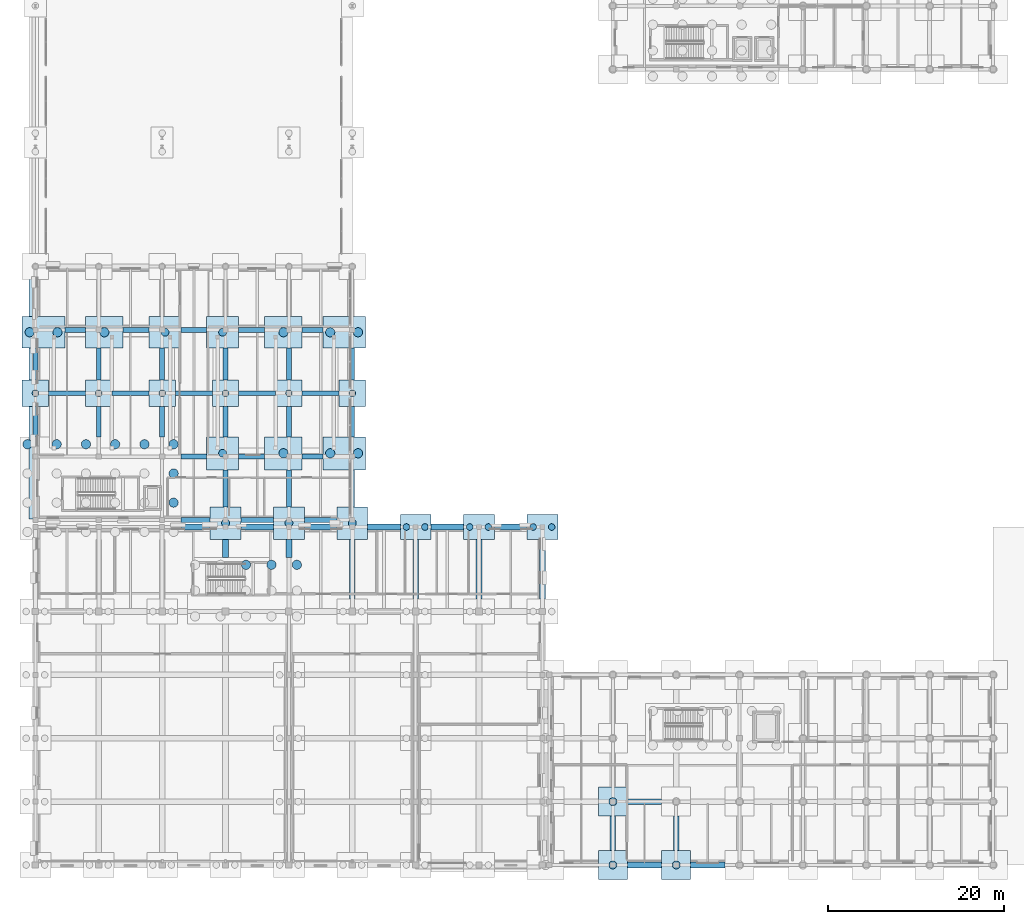
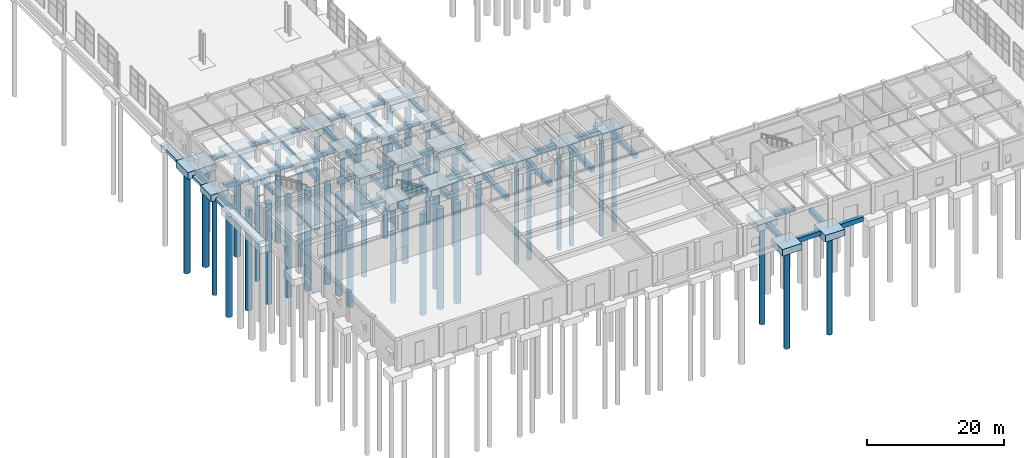
# One storey, part 2 of 91: 73 footings, 41 piles.
"""IFC4 building model written with IfcOpenShell, lengths in metres."""

from ifc_helpers import new_model, si_unit, direction, frame, origin, origin_2d, place, context, subcontext, project, spatial, rectangle, circle, extrude, material, material_profile, profile_set, type_object, element, save


model = new_model("IFC4")

# Units and contexts
model_context = context("Model", 3, precision=1e-05, world=origin(), true_north=direction((0.0, 1.0)))
body_context = subcontext(model_context, "Body", "Model", "MODEL_VIEW")
ifc_project = project(units=[si_unit("LENGTHUNIT", "METRE"), si_unit("AREAUNIT", "SQUARE_METRE"), si_unit("VOLUMEUNIT", "CUBIC_METRE"), si_unit("PLANEANGLEUNIT", "RADIAN"), si_unit("MASSUNIT", "GRAM", prefix="KILO")], contexts=[model_context])

# Site, building, storey
site_placement = place(None, origin())
site = spatial("IfcSite", under=ifc_project, at=site_placement, CompositionType="ELEMENT")
building_placement = place(site_placement, origin())
building = spatial("IfcBuilding", under=site, at=building_placement, Name="Bramveld Media Centre", CompositionType="ELEMENT")
storey_placement = place(building_placement, origin())
storey = spatial("IfcBuildingStorey", under=building, at=storey_placement, Name="L00", CompositionType="ELEMENT", Elevation=0.0)

# Footings
ifc_material_1 = material(Name="Concrete C35/45", Category="concrete")
footing_type_1 = type_object("IfcFootingType", Name="FTG-STRIP-1100x500", PredefinedType="STRIP_FOOTING", material=ifc_material_1)
footing_1_placement = place(storey_placement, frame((-0.179931640625, 53.699951171875, -1.300048828125), z_axis=(0.0, 0.0, 1.0), x_axis=(0.0, 1.0, 0.0)))
element("IfcFooting", 1, at=footing_1_placement, inside=storey, type_object=footing_type_1, Name="Retaining wall strip footing RW-PARK-01", PredefinedType="STRIP_FOOTING", context=body_context, shape_type="SweptSolid", body=[
    extrude(rectangle(XDim=28.800048828125, YDim=1.10009765625, at=origin_2d()), origin(), (0.0, 0.0, 1.0), 0.5),
])
ifc_material_2 = material(Name="Concrete C35/45", Category="concrete")
footing_type_2 = type_object("IfcFootingType", Name="GB-550x800", PredefinedType="FOOTING_BEAM", material=ifc_material_2)
footing_2_placement = place(storey_placement, frame((18.199951171875, 39.199951171875, -0.7998046875), z_axis=(0.0, 0.0, 1.0), x_axis=(1.0, 0.0, 0.0)))
element("IfcFooting", 2, at=footing_2_placement, inside=storey, type_object=footing_type_2, Name="V3 ground beam X-118", PredefinedType="FOOTING_BEAM", context=body_context, shape_type="SweptSolid", body=[
    extrude(rectangle(XDim=3.300048828125, YDim=0.550048828125, at=origin_2d()), origin(), (0.0, 0.0, 1.0), 0.800048828125),
])
for number, where, z_axis, x_axis, name in (
    (3, (25.199951171875, 39.199951171875, -0.7998046875), (0.0, 0.0, 1.0), (1.0, 0.0, 0.0), "V3 ground beam X-119"),
    (4, (32.39990234375, 39.199951171875, -0.7998046875), (0.0, 0.0, 1.0), (1.0, 0.0, 0.0), "V3 ground beam X-120"),
):
    element("IfcFooting", number, at=place(storey_placement, frame(where, z_axis=z_axis, x_axis=x_axis)), inside=storey, type_object=footing_type_2, Name=name, PredefinedType="FOOTING_BEAM", context=body_context, shape_type="SweptSolid", body=[
        extrude(rectangle(XDim=3.699951171875, YDim=0.550048828125, at=origin_2d()), origin(), (0.0, 0.0, 1.0), 0.800048828125),
    ])
footing_3_placement = place(storey_placement, frame((18.0, 46.39990234375, -0.7998046875), z_axis=(0.0, 0.0, 1.0), x_axis=(1.0, 0.0, 0.0)))
element("IfcFooting", 5, at=footing_3_placement, inside=storey, type_object=footing_type_2, Name="V3 ground beam X-121", PredefinedType="FOOTING_BEAM", context=body_context, shape_type="SweptSolid", body=[
    extrude(rectangle(XDim=2.89990234375, YDim=0.550048828125, at=origin_2d()), origin(), (0.0, 0.0, 1.0), 0.800048828125),
])
footing_4_placement = place(storey_placement, frame((24.574951171875, 46.39990234375, -0.7998046875), z_axis=(0.0, 0.0, 1.0), x_axis=(1.0, 0.0, 0.0)))
element("IfcFooting", 6, at=footing_4_placement, inside=storey, type_object=footing_type_2, Name="V3 ground beam X-122", PredefinedType="FOOTING_BEAM", context=body_context, shape_type="SweptSolid", body=[
    extrude(rectangle(XDim=2.949951171875, YDim=0.550048828125, at=origin_2d()), origin(), (0.0, 0.0, 1.0), 0.800048828125),
])
footing_5_placement = place(storey_placement, frame((31.47509765625, 46.39990234375, -0.7998046875), z_axis=(0.0, 0.0, 1.0), x_axis=(1.0, 0.0, 0.0)))
element("IfcFooting", 7, at=footing_5_placement, inside=storey, type_object=footing_type_2, Name="V3 ground beam X-123", PredefinedType="FOOTING_BEAM", context=body_context, shape_type="SweptSolid", body=[
    extrude(rectangle(XDim=2.35009765625, YDim=0.550048828125, at=origin_2d()), origin(), (0.0, 0.0, 1.0), 0.800048828125),
])
for number, where, z_axis, x_axis, name in (
    (8, (3.60009765625, 53.60009765625, -0.7998046875), (0.0, 0.0, 1.0), (1.0, 0.0, 0.0), "V3 ground beam X-124"),
    (9, (10.800048828125, 53.60009765625, -0.7998046875), (0.0, 0.0, 1.0), (1.0, 0.0, 0.0), "V3 ground beam X-125"),
    (10, (18.0, 53.60009765625, -0.7998046875), (0.0, 0.0, 1.0), (1.0, 0.0, 0.0), "V3 ground beam X-126"),
    (11, (25.199951171875, 53.60009765625, -0.7998046875), (0.0, 0.0, 1.0), (1.0, 0.0, 0.0), "V3 ground beam X-127"),
    (12, (32.39990234375, 53.60009765625, -0.7998046875), (0.0, 0.0, 1.0), (1.0, 0.0, 0.0), "V3 ground beam X-128"),
):
    element("IfcFooting", number, at=place(storey_placement, frame(where, z_axis=z_axis, x_axis=x_axis)), inside=storey, type_object=footing_type_2, Name=name, PredefinedType="FOOTING_BEAM", context=body_context, shape_type="SweptSolid", body=[
        extrude(rectangle(XDim=4.199951171875, YDim=0.550048828125, at=origin_2d()), origin(), (0.0, 0.0, 1.0), 0.800048828125),
    ])
footing_6_placement = place(storey_placement, frame((4.52490234375, 60.800048828125, -0.7998046875), z_axis=(0.0, 0.0, 1.0), x_axis=(1.0, 0.0, 0.0)))
element("IfcFooting", 13, at=footing_6_placement, inside=storey, type_object=footing_type_2, Name="V3 ground beam X-129", PredefinedType="FOOTING_BEAM", context=body_context, shape_type="SweptSolid", body=[
    extrude(rectangle(XDim=2.35009765625, YDim=0.550048828125, at=origin_2d()), origin(), (0.0, 0.0, 1.0), 0.800048828125),
])
footing_7_placement = place(storey_placement, frame((11.425048828125, 60.800048828125, -0.7998046875), z_axis=(0.0, 0.0, 1.0), x_axis=(1.0, 0.0, 0.0)))
element("IfcFooting", 14, at=footing_7_placement, inside=storey, type_object=footing_type_2, Name="V3 ground beam X-130", PredefinedType="FOOTING_BEAM", context=body_context, shape_type="SweptSolid", body=[
    extrude(rectangle(XDim=2.949951171875, YDim=0.550048828125, at=origin_2d()), origin(), (0.0, 0.0, 1.0), 0.800048828125),
])
footing_8_placement = place(storey_placement, frame((18.0, 60.800048828125, -0.7998046875), z_axis=(0.0, 0.0, 1.0), x_axis=(1.0, 0.0, 0.0)))
element("IfcFooting", 15, at=footing_8_placement, inside=storey, type_object=footing_type_2, Name="V3 ground beam X-131", PredefinedType="FOOTING_BEAM", context=body_context, shape_type="SweptSolid", body=[
    extrude(rectangle(XDim=2.89990234375, YDim=0.550048828125, at=origin_2d()), origin(), (0.0, 0.0, 1.0), 0.800048828125),
])
footing_9_placement = place(storey_placement, frame((24.574951171875, 60.800048828125, -0.7998046875), z_axis=(0.0, 0.0, 1.0), x_axis=(1.0, 0.0, 0.0)))
element("IfcFooting", 16, at=footing_9_placement, inside=storey, type_object=footing_type_2, Name="V3 ground beam X-132", PredefinedType="FOOTING_BEAM", context=body_context, shape_type="SweptSolid", body=[
    extrude(rectangle(XDim=2.949951171875, YDim=0.550048828125, at=origin_2d()), origin(), (0.0, 0.0, 1.0), 0.800048828125),
])
footing_10_placement = place(storey_placement, frame((31.47509765625, 60.800048828125, -0.7998046875), z_axis=(0.0, 0.0, 1.0), x_axis=(1.0, 0.0, 0.0)))
element("IfcFooting", 17, at=footing_10_placement, inside=storey, type_object=footing_type_2, Name="V3 ground beam X-133", PredefinedType="FOOTING_BEAM", context=body_context, shape_type="SweptSolid", body=[
    extrude(rectangle(XDim=2.35009765625, YDim=0.550048828125, at=origin_2d()), origin(), (0.0, 0.0, 1.0), 0.800048828125),
])
footing_11_placement = place(storey_placement, frame((0.0, 50.375, -0.7998046875), z_axis=(0.0, 0.0, 1.0), x_axis=(1.0, 0.0, 0.0)))
element("IfcFooting", 18, at=footing_11_placement, inside=storey, type_object=footing_type_2, Name="V3 ground beam Y-139", PredefinedType="FOOTING_BEAM", context=body_context, shape_type="SweptSolid", body=[
    extrude(rectangle(XDim=0.550048828125, YDim=3.449951171875, at=origin_2d()), origin(), (0.0, 0.0, 1.0), 0.800048828125),
])
footing_12_placement = place(storey_placement, frame((0.0, 56.925048828125, -0.7998046875), z_axis=(0.0, 0.0, 1.0), x_axis=(1.0, 0.0, 0.0)))
element("IfcFooting", 19, at=footing_12_placement, inside=storey, type_object=footing_type_2, Name="V3 ground beam Y-140", PredefinedType="FOOTING_BEAM", context=body_context, shape_type="SweptSolid", body=[
    extrude(rectangle(XDim=0.550048828125, YDim=3.64990234375, at=origin_2d()), origin(), (0.0, 0.0, 1.0), 0.800048828125),
])
footing_13_placement = place(storey_placement, frame((7.199951171875, 50.375, -0.7998046875), z_axis=(0.0, 0.0, 1.0), x_axis=(1.0, 0.0, 0.0)))
element("IfcFooting", 20, at=footing_13_placement, inside=storey, type_object=footing_type_2, Name="V3 ground beam Y-142", PredefinedType="FOOTING_BEAM", context=body_context, shape_type="SweptSolid", body=[
    extrude(rectangle(XDim=0.550048828125, YDim=3.449951171875, at=origin_2d()), origin(), (0.0, 0.0, 1.0), 0.800048828125),
])
footing_14_placement = place(storey_placement, frame((7.199951171875, 56.925048828125, -0.7998046875), z_axis=(0.0, 0.0, 1.0), x_axis=(1.0, 0.0, 0.0)))
element("IfcFooting", 21, at=footing_14_placement, inside=storey, type_object=footing_type_2, Name="V3 ground beam Y-143", PredefinedType="FOOTING_BEAM", context=body_context, shape_type="SweptSolid", body=[
    extrude(rectangle(XDim=0.550048828125, YDim=3.64990234375, at=origin_2d()), origin(), (0.0, 0.0, 1.0), 0.800048828125),
])
footing_15_placement = place(storey_placement, frame((14.39990234375, 50.375, -0.7998046875), z_axis=(0.0, 0.0, 1.0), x_axis=(1.0, 0.0, 0.0)))
element("IfcFooting", 22, at=footing_15_placement, inside=storey, type_object=footing_type_2, Name="V3 ground beam Y-145", PredefinedType="FOOTING_BEAM", context=body_context, shape_type="SweptSolid", body=[
    extrude(rectangle(XDim=0.550048828125, YDim=3.449951171875, at=origin_2d()), origin(), (0.0, 0.0, 1.0), 0.800048828125),
])
footing_16_placement = place(storey_placement, frame((14.39990234375, 56.925048828125, -0.7998046875), z_axis=(0.0, 0.0, 1.0), x_axis=(1.0, 0.0, 0.0)))
element("IfcFooting", 23, at=footing_16_placement, inside=storey, type_object=footing_type_2, Name="V3 ground beam Y-146", PredefinedType="FOOTING_BEAM", context=body_context, shape_type="SweptSolid", body=[
    extrude(rectangle(XDim=0.550048828125, YDim=3.64990234375, at=origin_2d()), origin(), (0.0, 0.0, 1.0), 0.800048828125),
])
footing_17_placement = place(storey_placement, frame((21.60009765625, 42.800048828125, -0.7998046875), z_axis=(0.0, 0.0, 1.0), x_axis=(1.0, 0.0, 0.0)))
element("IfcFooting", 24, at=footing_17_placement, inside=storey, type_object=footing_type_2, Name="V3 ground beam Y-148", PredefinedType="FOOTING_BEAM", context=body_context, shape_type="SweptSolid", body=[
    extrude(rectangle(XDim=0.550048828125, YDim=4.199951171875, at=origin_2d()), origin(), (0.0, 0.0, 1.0), 0.800048828125),
])
footing_18_placement = place(storey_placement, frame((21.60009765625, 50.375, -0.7998046875), z_axis=(0.0, 0.0, 1.0), x_axis=(1.0, 0.0, 0.0)))
element("IfcFooting", 25, at=footing_18_placement, inside=storey, type_object=footing_type_2, Name="V3 ground beam Y-149", PredefinedType="FOOTING_BEAM", context=body_context, shape_type="SweptSolid", body=[
    extrude(rectangle(XDim=0.550048828125, YDim=3.449951171875, at=origin_2d()), origin(), (0.0, 0.0, 1.0), 0.800048828125),
])
footing_19_placement = place(storey_placement, frame((21.60009765625, 56.925048828125, -0.7998046875), z_axis=(0.0, 0.0, 1.0), x_axis=(1.0, 0.0, 0.0)))
element("IfcFooting", 26, at=footing_19_placement, inside=storey, type_object=footing_type_2, Name="V3 ground beam Y-150", PredefinedType="FOOTING_BEAM", context=body_context, shape_type="SweptSolid", body=[
    extrude(rectangle(XDim=0.550048828125, YDim=3.64990234375, at=origin_2d()), origin(), (0.0, 0.0, 1.0), 0.800048828125),
])
footing_20_placement = place(storey_placement, frame((28.800048828125, 42.800048828125, -0.7998046875), z_axis=(0.0, 0.0, 1.0), x_axis=(1.0, 0.0, 0.0)))
element("IfcFooting", 27, at=footing_20_placement, inside=storey, type_object=footing_type_2, Name="V3 ground beam Y-152", PredefinedType="FOOTING_BEAM", context=body_context, shape_type="SweptSolid", body=[
    extrude(rectangle(XDim=0.550048828125, YDim=4.199951171875, at=origin_2d()), origin(), (0.0, 0.0, 1.0), 0.800048828125),
])
footing_21_placement = place(storey_placement, frame((28.800048828125, 50.375, -0.7998046875), z_axis=(0.0, 0.0, 1.0), x_axis=(1.0, 0.0, 0.0)))
element("IfcFooting", 28, at=footing_21_placement, inside=storey, type_object=footing_type_2, Name="V3 ground beam Y-153", PredefinedType="FOOTING_BEAM", context=body_context, shape_type="SweptSolid", body=[
    extrude(rectangle(XDim=0.550048828125, YDim=3.449951171875, at=origin_2d()), origin(), (0.0, 0.0, 1.0), 0.800048828125),
])
footing_22_placement = place(storey_placement, frame((28.800048828125, 56.925048828125, -0.7998046875), z_axis=(0.0, 0.0, 1.0), x_axis=(1.0, 0.0, 0.0)))
element("IfcFooting", 29, at=footing_22_placement, inside=storey, type_object=footing_type_2, Name="V3 ground beam Y-154", PredefinedType="FOOTING_BEAM", context=body_context, shape_type="SweptSolid", body=[
    extrude(rectangle(XDim=0.550048828125, YDim=3.64990234375, at=origin_2d()), origin(), (0.0, 0.0, 1.0), 0.800048828125),
])
footing_23_placement = place(storey_placement, frame((36.0, 42.800048828125, -0.7998046875), z_axis=(0.0, 0.0, 1.0), x_axis=(1.0, 0.0, 0.0)))
element("IfcFooting", 30, at=footing_23_placement, inside=storey, type_object=footing_type_2, Name="V3 ground beam Y-156", PredefinedType="FOOTING_BEAM", context=body_context, shape_type="SweptSolid", body=[
    extrude(rectangle(XDim=0.550048828125, YDim=4.199951171875, at=origin_2d()), origin(), (0.0, 0.0, 1.0), 0.800048828125),
])
footing_24_placement = place(storey_placement, frame((36.0, 50.375, -0.7998046875), z_axis=(0.0, 0.0, 1.0), x_axis=(1.0, 0.0, 0.0)))
element("IfcFooting", 31, at=footing_24_placement, inside=storey, type_object=footing_type_2, Name="V3 ground beam Y-157", PredefinedType="FOOTING_BEAM", context=body_context, shape_type="SweptSolid", body=[
    extrude(rectangle(XDim=0.550048828125, YDim=3.449951171875, at=origin_2d()), origin(), (0.0, 0.0, 1.0), 0.800048828125),
])
footing_25_placement = place(storey_placement, frame((36.0, 56.925048828125, -0.7998046875), z_axis=(0.0, 0.0, 1.0), x_axis=(1.0, 0.0, 0.0)))
element("IfcFooting", 32, at=footing_25_placement, inside=storey, type_object=footing_type_2, Name="V3 ground beam Y-158", PredefinedType="FOOTING_BEAM", context=body_context, shape_type="SweptSolid", body=[
    extrude(rectangle(XDim=0.550048828125, YDim=3.64990234375, at=origin_2d()), origin(), (0.0, 0.0, 1.0), 0.800048828125),
])
ifc_material_3 = material(Name="Concrete C35/45", Category="concrete")
footing_type_3 = type_object("IfcFootingType", Name="GB-650x800", PredefinedType="FOOTING_BEAM", material=ifc_material_3)
footing_26_placement = place(storey_placement, frame((18.199951171875, 38.39990234375, -0.7998046875), z_axis=(0.0, 0.0, 1.0), x_axis=(1.0, 0.0, 0.0)))
element("IfcFooting", 33, at=footing_26_placement, inside=storey, type_object=footing_type_3, Name="V2 ground beam X-82", PredefinedType="FOOTING_BEAM", context=body_context, shape_type="SweptSolid", body=[
    extrude(rectangle(XDim=3.300048828125, YDim=0.64990234375, at=origin_2d()), origin(), (0.0, 0.0, 1.0), 0.800048828125),
])
for number, where, z_axis, x_axis, name in (
    (34, (25.199951171875, 38.39990234375, -0.7998046875), (0.0, 0.0, 1.0), (1.0, 0.0, 0.0), "V2 ground beam X-83"),
    (35, (32.39990234375, 38.39990234375, -0.7998046875), (0.0, 0.0, 1.0), (1.0, 0.0, 0.0), "V2 ground beam X-84"),
    (36, (39.60009765625, 38.39990234375, -0.7998046875), (0.0, 0.0, 1.0), (1.0, 0.0, 0.0), "V2 ground beam X-85"),
    (37, (46.800048828125, 38.39990234375, -0.7998046875), (0.0, 0.0, 1.0), (1.0, 0.0, 0.0), "V2 ground beam X-86"),
    (38, (54.0, 38.39990234375, -0.7998046875), (0.0, 0.0, 1.0), (1.0, 0.0, 0.0), "V2 ground beam X-87"),
):
    element("IfcFooting", number, at=place(storey_placement, frame(where, z_axis=z_axis, x_axis=x_axis)), inside=storey, type_object=footing_type_3, Name=name, PredefinedType="FOOTING_BEAM", context=body_context, shape_type="SweptSolid", body=[
        extrude(rectangle(XDim=3.699951171875, YDim=0.64990234375, at=origin_2d()), origin(), (0.0, 0.0, 1.0), 0.800048828125),
    ])
for number, where, z_axis, x_axis, name in (
    (39, (21.60009765625, 35.97509765625, -0.7998046875), (0.0, 0.0, 1.0), (1.0, 0.0, 0.0), "V2 ground beam Y-98"),
    (40, (28.800048828125, 35.97509765625, -0.7998046875), (0.0, 0.0, 1.0), (1.0, 0.0, 0.0), "V2 ground beam Y-103"),
):
    element("IfcFooting", number, at=place(storey_placement, frame(where, z_axis=z_axis, x_axis=x_axis)), inside=storey, type_object=footing_type_3, Name=name, PredefinedType="FOOTING_BEAM", context=body_context, shape_type="SweptSolid", body=[
        extrude(rectangle(XDim=0.64990234375, YDim=2.050048828125, at=origin_2d()), origin(), (0.0, 0.0, 1.0), 0.800048828125),
    ])
for number, where, z_axis, x_axis, name in (
    (41, (36.0, 33.60009765625, -0.7998046875), (0.0, 0.0, 1.0), (1.0, 0.0, 0.0), "V2 ground beam Y-105"),
    (42, (43.199951171875, 33.60009765625, -0.7998046875), (0.0, 0.0, 1.0), (1.0, 0.0, 0.0), "V2 ground beam Y-110"),
    (43, (50.39990234375, 33.60009765625, -0.7998046875), (0.0, 0.0, 1.0), (1.0, 0.0, 0.0), "V2 ground beam Y-112"),
    (44, (57.60009765625, 33.60009765625, -0.7998046875), (0.0, 0.0, 1.0), (1.0, 0.0, 0.0), "V2 ground beam Y-117"),
):
    element("IfcFooting", number, at=place(storey_placement, frame(where, z_axis=z_axis, x_axis=x_axis)), inside=storey, type_object=footing_type_3, Name=name, PredefinedType="FOOTING_BEAM", context=body_context, shape_type="SweptSolid", body=[
        extrude(rectangle(XDim=0.64990234375, YDim=6.800048828125, at=origin_2d()), origin(), (0.0, 0.0, 1.0), 0.800048828125),
    ])
for number, where, z_axis, x_axis, name in (
    (45, (69.199951171875, 0.0, -0.7998046875), (0.0, 0.0, 1.0), (1.0, 0.0, 0.0), "V5 ground beam X-207"),
    (46, (76.39990234375, 0.0, -0.7998046875), (0.0, 0.0, 1.0), (1.0, 0.0, 0.0), "V5 ground beam X-208"),
    (47, (69.199951171875, 7.199951171875, -0.7998046875), (0.0, 0.0, 1.0), (1.0, 0.0, 0.0), "V5 ground beam X-214"),
):
    element("IfcFooting", number, at=place(storey_placement, frame(where, z_axis=z_axis, x_axis=x_axis)), inside=storey, type_object=footing_type_3, Name=name, PredefinedType="FOOTING_BEAM", context=body_context, shape_type="SweptSolid", body=[
        extrude(rectangle(XDim=3.89990234375, YDim=0.64990234375, at=origin_2d()), origin(), (0.0, 0.0, 1.0), 0.800048828125),
    ])
for number, where, z_axis, x_axis, name in (
    (48, (65.60009765625, 3.60009765625, -0.7998046875), (0.0, 0.0, 1.0), (1.0, 0.0, 0.0), "V5 ground beam Y-235"),
    (49, (72.800048828125, 3.60009765625, -0.7998046875), (0.0, 0.0, 1.0), (1.0, 0.0, 0.0), "V5 ground beam Y-238"),
):
    element("IfcFooting", number, at=place(storey_placement, frame(where, z_axis=z_axis, x_axis=x_axis)), inside=storey, type_object=footing_type_3, Name=name, PredefinedType="FOOTING_BEAM", context=body_context, shape_type="SweptSolid", body=[
        extrude(rectangle(XDim=0.64990234375, YDim=3.89990234375, at=origin_2d()), origin(), (0.0, 0.0, 1.0), 0.800048828125),
    ])
ifc_material_4 = material(Name="Concrete C35/45", Category="concrete")
footing_type_4 = type_object("IfcFootingType", Name="PC-300x300x1200", PredefinedType="PILE_CAP", material=ifc_material_4)
for number, where, z_axis, x_axis, name in (
    (50, (0.0, 53.60009765625, -1.2001953125), (0.0, 0.0, 1.0), (1.0, 0.0, 0.0), "Reinforced concrete pile cap 7"),
    (51, (7.199951171875, 53.60009765625, -1.2001953125), (0.0, 0.0, 1.0), (1.0, 0.0, 0.0), "Reinforced concrete pile cap 15"),
    (52, (14.39990234375, 53.60009765625, -1.2001953125), (0.0, 0.0, 1.0), (1.0, 0.0, 0.0), "Reinforced concrete pile cap 20"),
    (53, (21.60009765625, 53.60009765625, -1.2001953125), (0.0, 0.0, 1.0), (1.0, 0.0, 0.0), "Reinforced concrete pile cap 30"),
    (54, (28.800048828125, 53.60009765625, -1.2001953125), (0.0, 0.0, 1.0), (1.0, 0.0, 0.0), "Reinforced concrete pile cap 39"),
    (55, (36.0, 53.60009765625, -1.2001953125), (0.0, 0.0, 1.0), (1.0, 0.0, 0.0), "Reinforced concrete pile cap 48"),
):
    element("IfcFooting", number, at=place(storey_placement, frame(where, z_axis=z_axis, x_axis=x_axis)), inside=storey, type_object=footing_type_4, Name=name, PredefinedType="PILE_CAP", context=body_context, shape_type="SweptSolid", body=[
        extrude(rectangle(XDim=3.0, YDim=3.0, at=origin_2d()), origin(), (0.0, 0.0, 1.0), 1.199951171875),
    ])
ifc_material_5 = material(Name="Concrete C35/45", Category="concrete")
footing_type_5 = type_object("IfcFootingType", Name="PC-330x330x1200", PredefinedType="PILE_CAP", material=ifc_material_5)
for number, where, z_axis, x_axis, name in (
    (56, (65.60009765625, 0.0, -1.2001953125), (0.0, 0.0, 1.0), (1.0, 0.0, 0.0), "Reinforced concrete pile cap 68"),
    (57, (65.60009765625, 7.199951171875, -1.2001953125), (0.0, 0.0, 1.0), (1.0, 0.0, 0.0), "Reinforced concrete pile cap 69"),
    (58, (72.800048828125, 0.0, -1.2001953125), (0.0, 0.0, 1.0), (1.0, 0.0, 0.0), "Reinforced concrete pile cap 80"),
):
    element("IfcFooting", number, at=place(storey_placement, frame(where, z_axis=z_axis, x_axis=x_axis)), inside=storey, type_object=footing_type_5, Name=name, PredefinedType="PILE_CAP", context=body_context, shape_type="SweptSolid", body=[
        extrude(rectangle(XDim=3.300048828125, YDim=3.300048828125, at=origin_2d()), origin(), (0.0, 0.0, 1.0), 1.199951171875),
    ])
ifc_material_6 = material(Name="Concrete C35/45", Category="concrete")
footing_type_6 = type_object("IfcFootingType", Name="PC-350x280x1200", PredefinedType="PILE_CAP", material=ifc_material_6)
for number, where, z_axis, x_axis, name in (
    (59, (43.199951171875, 38.39990234375, -1.2001953125), (0.0, 0.0, 1.0), (1.0, 0.0, 0.0), "Reinforced concrete pile cap 58"),
    (60, (50.39990234375, 38.39990234375, -1.2001953125), (0.0, 0.0, 1.0), (1.0, 0.0, 0.0), "Reinforced concrete pile cap 61"),
    (61, (57.60009765625, 38.39990234375, -1.2001953125), (0.0, 0.0, 1.0), (1.0, 0.0, 0.0), "Reinforced concrete pile cap 67"),
):
    element("IfcFooting", number, at=place(storey_placement, frame(where, z_axis=z_axis, x_axis=x_axis)), inside=storey, type_object=footing_type_6, Name=name, PredefinedType="PILE_CAP", context=body_context, shape_type="SweptSolid", body=[
        extrude(rectangle(XDim=3.5, YDim=2.800048828125, at=origin_2d()), origin(), (0.0, 0.0, 1.0), 1.199951171875),
    ])
ifc_material_7 = material(Name="Concrete C35/45", Category="concrete")
footing_type_7 = type_object("IfcFootingType", Name="PC-350x370x1200", PredefinedType="PILE_CAP", material=ifc_material_7)
for number, where, z_axis, x_axis, name in (
    (62, (21.60009765625, 38.85009765625, -1.2001953125), (0.0, 0.0, 1.0), (1.0, 0.0, 0.0), "Reinforced concrete pile cap 29"),
    (63, (28.800048828125, 38.85009765625, -1.2001953125), (0.0, 0.0, 1.0), (1.0, 0.0, 0.0), "Reinforced concrete pile cap 38"),
    (64, (36.0, 38.85009765625, -1.2001953125), (0.0, 0.0, 1.0), (1.0, 0.0, 0.0), "Reinforced concrete pile cap 47"),
):
    element("IfcFooting", number, at=place(storey_placement, frame(where, z_axis=z_axis, x_axis=x_axis)), inside=storey, type_object=footing_type_7, Name=name, PredefinedType="PILE_CAP", context=body_context, shape_type="SweptSolid", body=[
        extrude(rectangle(XDim=3.5, YDim=3.699951171875, at=origin_2d()), origin(), (0.0, 0.0, 1.0), 1.199951171875),
    ])
ifc_material_8 = material(Name="Concrete C35/45", Category="concrete")
footing_type_8 = type_object("IfcFootingType", Name="PC-365x355x1200", PredefinedType="PILE_CAP", material=ifc_material_8)
for number, where, z_axis, x_axis, name in (
    (65, (14.72509765625, 60.52490234375, -1.2001953125), (0.0, 0.0, 1.0), (1.0, 0.0, 0.0), "Reinforced concrete pile cap 21"),
    (66, (21.27490234375, 60.52490234375, -1.2001953125), (0.0, 0.0, 1.0), (1.0, 0.0, 0.0), "Reinforced concrete pile cap 27"),
):
    element("IfcFooting", number, at=place(storey_placement, frame(where, z_axis=z_axis, x_axis=x_axis)), inside=storey, type_object=footing_type_8, Name=name, PredefinedType="PILE_CAP", context=body_context, shape_type="SweptSolid", body=[
        extrude(rectangle(XDim=3.64990234375, YDim=3.550048828125, at=origin_2d()), origin(), (0.0, 0.0, 1.0), 1.199951171875),
    ])
ifc_material_9 = material(Name="Concrete C35/45", Category="concrete")
footing_type_9 = type_object("IfcFootingType", Name="PC-365x375x1200", PredefinedType="PILE_CAP", material=ifc_material_9)
footing_27_placement = place(storey_placement, frame((21.27490234375, 46.77490234375, -1.2001953125), z_axis=(0.0, 0.0, 1.0), x_axis=(1.0, 0.0, 0.0)))
element("IfcFooting", 67, at=footing_27_placement, inside=storey, type_object=footing_type_9, Name="Reinforced concrete pile cap 26", PredefinedType="PILE_CAP", context=body_context, shape_type="SweptSolid", body=[
    extrude(rectangle(XDim=3.64990234375, YDim=3.75, at=origin_2d()), origin(), (0.0, 0.0, 1.0), 1.199951171875),
])
ifc_material_10 = material(Name="Concrete C35/45", Category="concrete")
footing_type_10 = type_object("IfcFootingType", Name="PC-425x355x1200", PredefinedType="PILE_CAP", material=ifc_material_10)
for number, where, z_axis, x_axis, name in (
    (68, (7.824951171875, 60.52490234375, -1.2001953125), (0.0, 0.0, 1.0), (1.0, 0.0, 0.0), "Reinforced concrete pile cap 16"),
    (69, (28.175048828125, 60.52490234375, -1.2001953125), (0.0, 0.0, 1.0), (1.0, 0.0, 0.0), "Reinforced concrete pile cap 33"),
):
    element("IfcFooting", number, at=place(storey_placement, frame(where, z_axis=z_axis, x_axis=x_axis)), inside=storey, type_object=footing_type_10, Name=name, PredefinedType="PILE_CAP", context=body_context, shape_type="SweptSolid", body=[
        extrude(rectangle(XDim=4.25, YDim=3.550048828125, at=origin_2d()), origin(), (0.0, 0.0, 1.0), 1.199951171875),
    ])
ifc_material_11 = material(Name="Concrete C35/45", Category="concrete")
footing_type_11 = type_object("IfcFootingType", Name="PC-425x375x1200", PredefinedType="PILE_CAP", material=ifc_material_11)
footing_28_placement = place(storey_placement, frame((28.175048828125, 46.77490234375, -1.2001953125), z_axis=(0.0, 0.0, 1.0), x_axis=(1.0, 0.0, 0.0)))
element("IfcFooting", 70, at=footing_28_placement, inside=storey, type_object=footing_type_11, Name="Reinforced concrete pile cap 32", PredefinedType="PILE_CAP", context=body_context, shape_type="SweptSolid", body=[
    extrude(rectangle(XDim=4.25, YDim=3.75, at=origin_2d()), origin(), (0.0, 0.0, 1.0), 1.199951171875),
])
ifc_material_12 = material(Name="Concrete C35/45", Category="concrete")
footing_type_12 = type_object("IfcFootingType", Name="PC-485x355x1200", PredefinedType="PILE_CAP", material=ifc_material_12)
for number, where, z_axis, x_axis, name in (
    (71, (0.925048828125, 60.52490234375, -1.2001953125), (0.0, 0.0, 1.0), (1.0, 0.0, 0.0), "Reinforced concrete pile cap 8"),
    (72, (35.074951171875, 60.52490234375, -1.2001953125), (0.0, 0.0, 1.0), (1.0, 0.0, 0.0), "Reinforced concrete pile cap 44"),
):
    element("IfcFooting", number, at=place(storey_placement, frame(where, z_axis=z_axis, x_axis=x_axis)), inside=storey, type_object=footing_type_12, Name=name, PredefinedType="PILE_CAP", context=body_context, shape_type="SweptSolid", body=[
        extrude(rectangle(XDim=4.85009765625, YDim=3.550048828125, at=origin_2d()), origin(), (0.0, 0.0, 1.0), 1.199951171875),
    ])
ifc_material_13 = material(Name="Concrete C35/45", Category="concrete")
footing_type_13 = type_object("IfcFootingType", Name="PC-485x375x1200", PredefinedType="PILE_CAP", material=ifc_material_13)
footing_29_placement = place(storey_placement, frame((35.074951171875, 46.77490234375, -1.2001953125), z_axis=(0.0, 0.0, 1.0), x_axis=(1.0, 0.0, 0.0)))
element("IfcFooting", 73, at=footing_29_placement, inside=storey, type_object=footing_type_13, Name="Reinforced concrete pile cap 43", PredefinedType="PILE_CAP", context=body_context, shape_type="SweptSolid", body=[
    extrude(rectangle(XDim=4.85009765625, YDim=3.75, at=origin_2d()), origin(), (0.0, 0.0, 1.0), 1.199951171875),
])

# Piles
ifc_material_14 = material(Name="Concrete C35/45", Category="concrete")
ifc_material_profile_1 = material_profile(ifc_material_14, circle(Radius=0.52490234375, at=origin_2d()), Name="BORED D1050")
ifc_profile_set_1 = profile_set([ifc_material_profile_1], Name="Concrete C35/45")
pile_type_1 = type_object("IfcPileType", Name="PILE-BORED-D1050", PredefinedType="BORED", material=ifc_profile_set_1)
for number, where, z_axis, x_axis, name in (
    (74, (-0.905029296875, 47.804931640625, -1.050048828125), (0.0, 0.0, -1.0), (1.0, 0.0, 0.0), "Bored pile 14"),
    (75, (2.4169921875, 47.804931640625, -1.050048828125), (0.0, 0.0, -1.0), (1.0, 0.0, 0.0), "Bored pile 18"),
    (76, (5.739013671875, 47.804931640625, -1.050048828125), (0.0, 0.0, -1.0), (1.0, 0.0, 0.0), "Bored pile 22"),
    (77, (9.06103515625, 47.804931640625, -1.050048828125), (0.0, 0.0, -1.0), (1.0, 0.0, 0.0), "Bored pile 26"),
    (78, (12.383056640625, 47.804931640625, -1.050048828125), (0.0, 0.0, -1.0), (1.0, 0.0, 0.0), "Bored pile 30"),
    (79, (15.705078125, 41.1650390625, -1.050048828125), (0.0, 0.0, -1.0), (1.0, 0.0, 0.0), "Bored pile 32"),
    (80, (15.705078125, 44.485107421875, -1.050048828125), (0.0, 0.0, -1.0), (1.0, 0.0, 0.0), "Bored pile 33"),
    (81, (15.705078125, 47.804931640625, -1.050048828125), (0.0, 0.0, -1.0), (1.0, 0.0, 0.0), "Bored pile 34"),
    (82, (-0.655029296875, 60.52490234375, -1.050048828125), (0.0, 0.0, -1.0), (1.0, 0.0, 0.0), "Bored pile 36"),
    (83, (2.5048828125, 60.52490234375, -1.050048828125), (0.0, 0.0, -1.0), (1.0, 0.0, 0.0), "Bored pile 37"),
    (84, (7.824951171875, 60.52490234375, -1.050048828125), (0.0, 0.0, -1.0), (1.0, 0.0, 0.0), "Bored pile 48"),
    (85, (23.925048828125, 34.10498046875, -1.050048828125), (0.0, 0.0, -1.0), (1.0, 0.0, 0.0), "Bored pile 68"),
    (86, (26.81494140625, 34.10498046875, -1.050048828125), (0.0, 0.0, -1.0), (1.0, 0.0, 0.0), "Bored pile 71"),
    (87, (29.705078125, 34.10498046875, -1.050048828125), (0.0, 0.0, -1.0), (1.0, 0.0, 0.0), "Bored pile 74"),
    (88, (28.175048828125, 46.77490234375, -1.050048828125), (0.0, 0.0, -1.0), (1.0, 0.0, 0.0), "Bored pile 82"),
    (89, (28.175048828125, 60.52490234375, -1.050048828125), (0.0, 0.0, -1.0), (1.0, 0.0, 0.0), "Bored pile 83"),
    (90, (33.4951171875, 46.77490234375, -1.050048828125), (0.0, 0.0, -1.0), (1.0, 0.0, 0.0), "Bored pile 98"),
    (91, (36.655029296875, 46.77490234375, -1.050048828125), (0.0, 0.0, -1.0), (1.0, 0.0, 0.0), "Bored pile 99"),
    (92, (33.4951171875, 60.52490234375, -1.050048828125), (0.0, 0.0, -1.0), (1.0, 0.0, 0.0), "Bored pile 100"),
    (93, (36.655029296875, 60.52490234375, -1.050048828125), (0.0, 0.0, -1.0), (1.0, 0.0, 0.0), "Bored pile 101"),
):
    element("IfcPile", number, at=place(storey_placement, frame(where, z_axis=z_axis, x_axis=x_axis)), inside=storey, type_object=pile_type_1, Name=name, PredefinedType="BORED", context=body_context, shape_type="SweptSolid", body=[
        extrude(circle(Radius=0.52490234375, at=origin_2d()), origin(), (0.0, 0.0, 1.0), 18.0),
    ])
ifc_material_15 = material(Name="Concrete C35/45", Category="concrete")
ifc_material_profile_2 = material_profile(ifc_material_15, circle(Radius=0.375, at=origin_2d()), Name="BORED D750")
ifc_profile_set_2 = profile_set([ifc_material_profile_2], Name="Concrete C35/45")
pile_type_2 = type_object("IfcPileType", Name="PILE-BORED-D750", PredefinedType="BORED", material=ifc_profile_set_2)
for number, where, z_axis, x_axis, name in (
    (94, (0.0, 53.60009765625, -1.050048828125), (0.0, 0.0, -1.0), (1.0, 0.0, 0.0), "Bored pile 35"),
    (95, (7.199951171875, 53.60009765625, -1.050048828125), (0.0, 0.0, -1.0), (1.0, 0.0, 0.0), "Bored pile 47"),
    (96, (14.39990234375, 53.60009765625, -1.050048828125), (0.0, 0.0, -1.0), (1.0, 0.0, 0.0), "Bored pile 54"),
    (97, (21.60009765625, 53.60009765625, -1.050048828125), (0.0, 0.0, -1.0), (1.0, 0.0, 0.0), "Bored pile 80"),
    (98, (28.800048828125, 53.60009765625, -1.050048828125), (0.0, 0.0, -1.0), (1.0, 0.0, 0.0), "Bored pile 93"),
    (99, (36.0, 53.60009765625, -1.050048828125), (0.0, 0.0, -1.0), (1.0, 0.0, 0.0), "Bored pile 107"),
    (100, (42.14501953125, 38.39990234375, -1.050048828125), (0.0, 0.0, -1.0), (1.0, 0.0, 0.0), "Bored pile 123"),
    (101, (44.2548828125, 38.39990234375, -1.050048828125), (0.0, 0.0, -1.0), (1.0, 0.0, 0.0), "Bored pile 124"),
    (102, (49.344970703125, 38.39990234375, -1.050048828125), (0.0, 0.0, -1.0), (1.0, 0.0, 0.0), "Bored pile 129"),
    (103, (51.455078125, 38.39990234375, -1.050048828125), (0.0, 0.0, -1.0), (1.0, 0.0, 0.0), "Bored pile 130"),
    (104, (56.544921875, 38.39990234375, -1.050048828125), (0.0, 0.0, -1.0), (1.0, 0.0, 0.0), "Bored pile 137"),
    (105, (58.655029296875, 38.39990234375, -1.050048828125), (0.0, 0.0, -1.0), (1.0, 0.0, 0.0), "Bored pile 138"),
):
    element("IfcPile", number, at=place(storey_placement, frame(where, z_axis=z_axis, x_axis=x_axis)), inside=storey, type_object=pile_type_2, Name=name, PredefinedType="BORED", context=body_context, shape_type="SweptSolid", body=[
        extrude(circle(Radius=0.375, at=origin_2d()), origin(), (0.0, 0.0, 1.0), 18.0),
    ])
ifc_material_16 = material(Name="Concrete C35/45", Category="concrete")
ifc_material_profile_3 = material_profile(ifc_material_16, circle(Radius=0.449951171875, at=origin_2d()), Name="BORED D900")
ifc_profile_set_3 = profile_set([ifc_material_profile_3], Name="Concrete C35/45")
pile_type_3 = type_object("IfcPileType", Name="PILE-BORED-D900", PredefinedType="BORED", material=ifc_profile_set_3)
for number, where, z_axis, x_axis, name in (
    (106, (14.72509765625, 60.52490234375, -1.050048828125), (0.0, 0.0, -1.0), (1.0, 0.0, 0.0), "Bored pile 55"),
    (107, (21.27490234375, 46.77490234375, -1.050048828125), (0.0, 0.0, -1.0), (1.0, 0.0, 0.0), "Bored pile 75"),
    (108, (21.27490234375, 60.52490234375, -1.050048828125), (0.0, 0.0, -1.0), (1.0, 0.0, 0.0), "Bored pile 76"),
    (109, (21.60009765625, 38.85009765625, -1.050048828125), (0.0, 0.0, -1.0), (1.0, 0.0, 0.0), "Bored pile 79"),
    (110, (28.800048828125, 38.85009765625, -1.050048828125), (0.0, 0.0, -1.0), (1.0, 0.0, 0.0), "Bored pile 92"),
    (111, (36.0, 38.85009765625, -1.050048828125), (0.0, 0.0, -1.0), (1.0, 0.0, 0.0), "Bored pile 106"),
    (112, (65.60009765625, 0.0, -1.050048828125), (0.0, 0.0, -1.0), (1.0, 0.0, 0.0), "Bored pile 139"),
    (113, (65.60009765625, 7.199951171875, -1.050048828125), (0.0, 0.0, -1.0), (1.0, 0.0, 0.0), "Bored pile 140"),
    (114, (72.800048828125, 0.0, -1.050048828125), (0.0, 0.0, -1.0), (1.0, 0.0, 0.0), "Bored pile 181"),
):
    element("IfcPile", number, at=place(storey_placement, frame(where, z_axis=z_axis, x_axis=x_axis)), inside=storey, type_object=pile_type_3, Name=name, PredefinedType="BORED", context=body_context, shape_type="SweptSolid", body=[
        extrude(circle(Radius=0.449951171875, at=origin_2d()), origin(), (0.0, 0.0, 1.0), 18.0),
    ])

save(model, "model.ifc")
